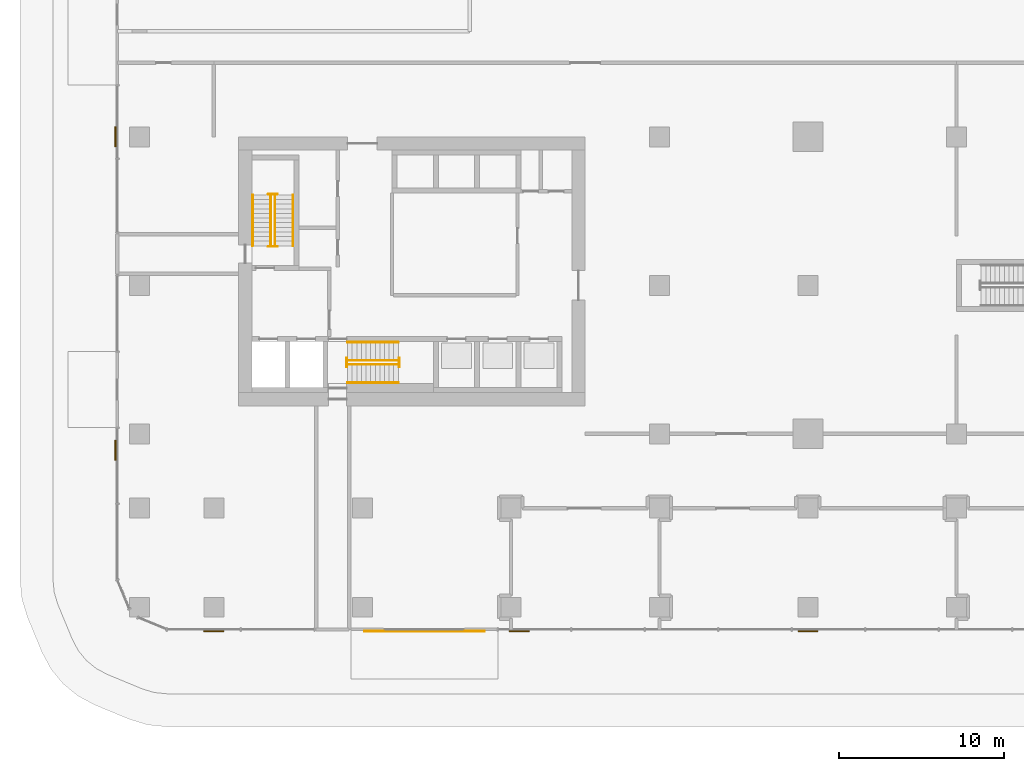
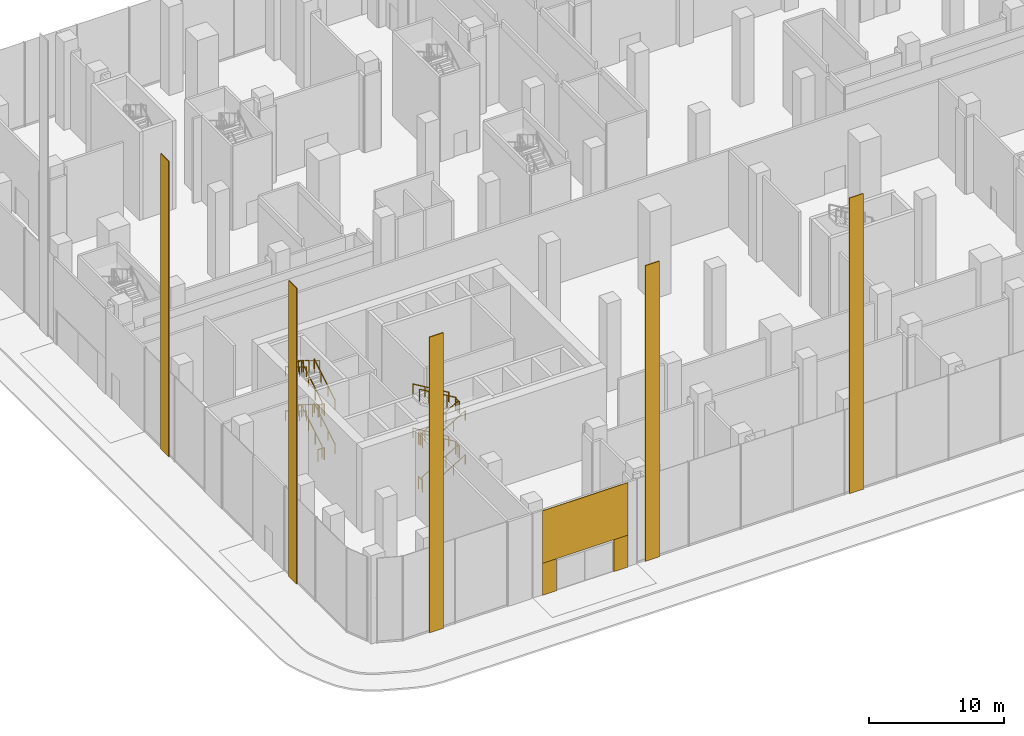
# One storey, part 30 of 42: 24 railings, 8 coverings.
"""IFC4 building model written with IfcOpenShell, lengths in metres."""

from ifc_helpers import new_model, si_unit, direction, frame, origin, origin_2d, place, context, subcontext, project, spatial, rectangle, circle, extrude, material, layer, layer_set, type_object, element, save


model = new_model("IFC4")

# Units and contexts
model_context = context("Model", 3, precision=1e-05, world=origin(), true_north=direction((0.0, 1.0)))
body_context = subcontext(model_context, "Body", "Model", "MODEL_VIEW")
ifc_project = project(units=[si_unit("LENGTHUNIT", "METRE"), si_unit("AREAUNIT", "SQUARE_METRE"), si_unit("VOLUMEUNIT", "CUBIC_METRE"), si_unit("PLANEANGLEUNIT", "RADIAN"), si_unit("MASSUNIT", "GRAM", prefix="KILO")], contexts=[model_context])

# Site, building, storey
site_placement = place(None, origin())
site = spatial("IfcSite", under=ifc_project, at=site_placement, CompositionType="ELEMENT")
building_placement = place(site_placement, origin())
building = spatial("IfcBuilding", under=site, at=building_placement, Name="Plateau Cross Towers", CompositionType="ELEMENT")
storey_placement = place(building_placement, origin())
storey = spatial("IfcBuildingStorey", under=building, at=storey_placement, Name="L00", CompositionType="ELEMENT", Elevation=0.0)

# Coverings
ifc_material_1 = material(Name="Aluminium composite cladding", Category="aluminium")
ifc_layer_1 = layer(ifc_material_1, 0.050048828125)
ifc_layer_set_1 = layer_set([ifc_layer_1], Name="Aluminium composite cladding")
covering_type_1 = type_object("IfcCoveringType", Name="Entrance surround board 50", PredefinedType="CLADDING", material=ifc_layer_set_1)
covering_placement = place(storey_placement, frame((12.75341796875, -11.955078125, 2.89990234375), z_axis=(0.0, 0.0, 1.0), x_axis=(1.0, 0.0, 0.0)))
element("IfcCovering", 1, at=covering_placement, inside=storey, type_object=covering_type_1, Name="Entrance lobby-A head fascia", PredefinedType="CLADDING", context=body_context, shape_type="SweptSolid", body=[
    extrude(rectangle(XDim=7.300048828125, YDim=0.050048828125, at=origin_2d()), origin(), (0.0, 0.0, 1.0), 4.75),
])
for number, where, z_axis, x_axis, name in (
    (2, (9.703369140625, -11.955078125, 0.0), (0.0, 0.0, 1.0), (1.0, 0.0, 0.0), "Entrance lobby-A pier"),
    (3, (15.80322265625, -11.955078125, 0.0), (0.0, 0.0, 1.0), (1.0, 0.0, 0.0), "Entrance lobby-A pier"),
):
    element("IfcCovering", number, at=place(storey_placement, frame(where, z_axis=z_axis, x_axis=x_axis)), inside=storey, type_object=covering_type_1, Name=name, PredefinedType="CLADDING", context=body_context, shape_type="SweptSolid", body=[
        extrude(rectangle(XDim=1.199951171875, YDim=0.050048828125, at=origin_2d()), origin(), (0.0, 0.0, 1.0), 2.89990234375),
    ])
ifc_layer_2 = layer(ifc_material_1, 0.070068359375)
ifc_layer_set_2 = layer_set([ifc_layer_2], Name="Aluminium composite cladding")
covering_type_2 = type_object("IfcCoveringType", Name="Podium pier cladding 1200", PredefinedType="CLADDING", material=ifc_layer_set_2)
for number, where, z_axis, x_axis, name in (
    (4, (0.0, -11.9599609375, 0.0), (0.0, 0.0, 1.0), (1.0, 0.0, 0.0), "Podium pier S1"),
    (5, (18.5, -11.9599609375, 0.0), (0.0, 0.0, 1.0), (1.0, 0.0, 0.0), "Podium pier S2"),
    (6, (36.0, -11.9599609375, 0.0), (0.0, 0.0, 1.0), (1.0, 0.0, 0.0), "Podium pier S3"),
    (7, (-5.9599609375, -1.0, 0.0), (0.0, 0.0, 1.0), (0.0, -1.0, 0.0), "Podium pier W1"),
    (8, (-5.9599609375, 18.0, 0.0), (0.0, 0.0, 1.0), (0.0, -1.0, 0.0), "Podium pier W2"),
):
    element("IfcCovering", number, at=place(storey_placement, frame(where, z_axis=z_axis, x_axis=x_axis)), inside=storey, type_object=covering_type_2, Name=name, PredefinedType="CLADDING", context=body_context, shape_type="SweptSolid", body=[
        extrude(rectangle(XDim=1.199951171875, YDim=0.070068359375, at=origin_2d()), origin(), (0.0, 0.0, 1.0), 26.800048828125),
    ])

# Railings
ifc_material_2 = material(Name="Stainless steel and toughened glass", Category="steel")
railing_type_1 = type_object("IfcRailingType", Name="RL-GUARD-1100", PredefinedType="GUARDRAIL", material=ifc_material_2)
railing_1_placement = place(storey_placement, frame((3.699951171875, 11.39990234375, 0.166748046875)))
element("IfcRailing", 9, at=railing_1_placement, inside=storey, type_object=railing_type_1, Name="L00 ST-1 stair guard 1", PredefinedType="GUARDRAIL", context=body_context, shape_type="SweptSolid", body=[
    extrude(circle(Radius=0.02392578125, at=origin_2d()), frame((0.0, 0.0, 1.076171875), z_axis=(0.0, 0.859308565015, 0.511457515432), x_axis=(-1.0, 0.0, 0.0)), (0.0, 0.0, 1.0), 3.58447265625),
    extrude(circle(Radius=0.02099609375, at=origin_2d()), origin(), (0.0, 0.0, 1.0), 1.052001953125),
    extrude(circle(Radius=0.02099609375, at=origin_2d()), frame((0.0, 1.026611328125, 0.611083984375)), (0.0, 0.0, 1.0), 1.052001953125),
    extrude(circle(Radius=0.02099609375, at=origin_2d()), frame((0.0, 2.053466796875, 1.22216796875)), (0.0, 0.0, 1.0), 1.052001953125),
    extrude(circle(Radius=0.02099609375, at=origin_2d()), frame((0.0, 3.080078125, 1.833251953125)), (0.0, 0.0, 1.0), 1.052001953125),
])
railing_2_placement = place(storey_placement, frame((3.85009765625, 14.530029296875, 2.0)))
element("IfcRailing", 10, at=railing_2_placement, inside=storey, type_object=railing_type_1, Name="L00 ST-1 stair guard 2", PredefinedType="GUARDRAIL", context=body_context, shape_type="SweptSolid", body=[
    extrude(circle(Radius=0.02392578125, at=origin_2d()), frame((0.0, 0.0, 1.076171875), z_axis=(-1.0, 0.0, 0.0), x_axis=(0.0, -1.0, 0.0)), (0.0, 0.0, 1.0), 0.550048828125),
    extrude(circle(Radius=0.02099609375, at=origin_2d()), origin(), (0.0, 0.0, 1.0), 1.052001953125),
    extrude(circle(Radius=0.02099609375, at=origin_2d()), frame((-0.550048828125, 0.0, 0.0)), (0.0, 0.0, 1.0), 1.052001953125),
])
railing_3_placement = place(storey_placement, frame((3.449951171875, 14.47998046875, 2.166748046875)))
element("IfcRailing", 11, at=railing_3_placement, inside=storey, type_object=railing_type_1, Name="L00 ST-1 stair guard 3", PredefinedType="GUARDRAIL", context=body_context, shape_type="SweptSolid", body=[
    extrude(circle(Radius=0.02392578125, at=origin_2d()), frame((0.0, 0.0, 1.076171875), z_axis=(0.0, -0.859308565015, 0.511457515432), x_axis=(1.0, 0.0, 0.0)), (0.0, 0.0, 1.0), 3.58447265625),
    extrude(circle(Radius=0.02099609375, at=origin_2d()), origin(), (0.0, 0.0, 1.0), 1.052001953125),
    extrude(circle(Radius=0.02099609375, at=origin_2d()), frame((0.0, -1.026611328125, 0.611083984375)), (0.0, 0.0, 1.0), 1.052001953125),
    extrude(circle(Radius=0.02099609375, at=origin_2d()), frame((0.0, -2.053466796875, 1.22216796875)), (0.0, 0.0, 1.0), 1.052001953125),
    extrude(circle(Radius=0.02099609375, at=origin_2d()), frame((0.0, -3.080078125, 1.833251953125)), (0.0, 0.0, 1.0), 1.052001953125),
])
railing_4_placement = place(storey_placement, frame((3.85009765625, 11.35009765625, 4.0)))
element("IfcRailing", 12, at=railing_4_placement, inside=storey, type_object=railing_type_1, Name="L00 ST-1 stair guard 4", PredefinedType="GUARDRAIL", context=body_context, shape_type="SweptSolid", body=[
    extrude(circle(Radius=0.02392578125, at=origin_2d()), frame((0.0, 0.0, 1.076171875), z_axis=(-1.0, 0.0, 0.0), x_axis=(0.0, -1.0, 0.0)), (0.0, 0.0, 1.0), 0.550048828125),
    extrude(circle(Radius=0.02099609375, at=origin_2d()), origin(), (0.0, 0.0, 1.0), 1.052001953125),
    extrude(circle(Radius=0.02099609375, at=origin_2d()), frame((-0.550048828125, 0.0, 0.0)), (0.0, 0.0, 1.0), 1.052001953125),
])
railing_5_placement = place(storey_placement, frame((3.699951171875, 11.39990234375, 4.166748046875)))
element("IfcRailing", 13, at=railing_5_placement, inside=storey, type_object=railing_type_1, Name="L00 ST-1 stair guard 5", PredefinedType="GUARDRAIL", context=body_context, shape_type="SweptSolid", body=[
    extrude(circle(Radius=0.02392578125, at=origin_2d()), frame((0.0, 0.0, 1.076171875), z_axis=(0.0, 0.859308565015, 0.511457515432), x_axis=(-1.0, 0.0, 0.0)), (0.0, 0.0, 1.0), 3.58447265625),
    extrude(circle(Radius=0.02099609375, at=origin_2d()), origin(), (0.0, 0.0, 1.0), 1.052001953125),
    extrude(circle(Radius=0.02099609375, at=origin_2d()), frame((0.0, 1.026611328125, 0.611083984375)), (0.0, 0.0, 1.0), 1.052001953125),
    extrude(circle(Radius=0.02099609375, at=origin_2d()), frame((0.0, 2.053466796875, 1.22216796875)), (0.0, 0.0, 1.0), 1.052001953125),
    extrude(circle(Radius=0.02099609375, at=origin_2d()), frame((0.0, 3.080078125, 1.833251953125)), (0.0, 0.0, 1.0), 1.052001953125),
])
railing_6_placement = place(storey_placement, frame((3.85009765625, 14.530029296875, 6.0)))
element("IfcRailing", 14, at=railing_6_placement, inside=storey, type_object=railing_type_1, Name="L00 ST-1 stair guard 6", PredefinedType="GUARDRAIL", context=body_context, shape_type="SweptSolid", body=[
    extrude(circle(Radius=0.02392578125, at=origin_2d()), frame((0.0, 0.0, 1.076171875), z_axis=(-1.0, 0.0, 0.0), x_axis=(0.0, -1.0, 0.0)), (0.0, 0.0, 1.0), 0.550048828125),
    extrude(circle(Radius=0.02099609375, at=origin_2d()), origin(), (0.0, 0.0, 1.0), 1.052001953125),
    extrude(circle(Radius=0.02099609375, at=origin_2d()), frame((-0.550048828125, 0.0, 0.0)), (0.0, 0.0, 1.0), 1.052001953125),
])
railing_7_placement = place(storey_placement, frame((3.449951171875, 14.47998046875, 6.166748046875)))
element("IfcRailing", 15, at=railing_7_placement, inside=storey, type_object=railing_type_1, Name="L00 ST-1 stair guard 7", PredefinedType="GUARDRAIL", context=body_context, shape_type="SweptSolid", body=[
    extrude(circle(Radius=0.02392578125, at=origin_2d()), frame((0.0, 0.0, 1.076171875), z_axis=(0.0, -0.862879167799, 0.505410270749), x_axis=(1.0, 0.0, 0.0)), (0.0, 0.0, 1.0), 3.627197265625),
    extrude(circle(Radius=0.02099609375, at=origin_2d()), origin(), (0.0, 0.0, 1.0), 1.052001953125),
    extrude(circle(Radius=0.02099609375, at=origin_2d()), frame((0.0, -0.782470703125, 0.458251953125)), (0.0, 0.0, 1.0), 1.052001953125),
    extrude(circle(Radius=0.02099609375, at=origin_2d()), frame((0.0, -1.56494140625, 0.91650390625)), (0.0, 0.0, 1.0), 1.052001953125),
    extrude(circle(Radius=0.02099609375, at=origin_2d()), frame((0.0, -2.347412109375, 1.375)), (0.0, 0.0, 1.0), 1.052001953125),
    extrude(circle(Radius=0.02099609375, at=origin_2d()), frame((0.0, -3.1298828125, 1.833251953125)), (0.0, 0.0, 1.0), 1.052001953125),
])
railing_8_placement = place(storey_placement, frame((3.85009765625, 11.35009765625, 0.0)))
element("IfcRailing", 16, at=railing_8_placement, inside=storey, type_object=railing_type_1, Name="L00 ST-1 stair guard 8", PredefinedType="GUARDRAIL", context=body_context, shape_type="SweptSolid", body=[
    extrude(circle(Radius=0.02392578125, at=origin_2d()), frame((0.0, 0.0, 1.076171875), z_axis=(-1.0, 0.0, 0.0), x_axis=(0.0, -1.0, 0.0)), (0.0, 0.0, 1.0), 0.550048828125),
    extrude(circle(Radius=0.02099609375, at=origin_2d()), origin(), (0.0, 0.0, 1.0), 1.052001953125),
    extrude(circle(Radius=0.02099609375, at=origin_2d()), frame((-0.550048828125, 0.0, 0.0)), (0.0, 0.0, 1.0), 1.052001953125),
])
railing_9_placement = place(storey_placement, frame((8.10009765625, 4.199951171875, 0.166748046875)))
element("IfcRailing", 17, at=railing_9_placement, inside=storey, type_object=railing_type_1, Name="L00 ST-2 stair guard 1", PredefinedType="GUARDRAIL", context=body_context, shape_type="SweptSolid", body=[
    extrude(circle(Radius=0.02392578125, at=origin_2d()), frame((0.0, 0.0, 1.076171875), z_axis=(0.859290745958, 0.0, 0.51148745235), x_axis=(0.0, 1.0, 0.0)), (0.0, 0.0, 1.0), 3.584228515625),
    extrude(circle(Radius=0.02099609375, at=origin_2d()), origin(), (0.0, 0.0, 1.0), 1.052001953125),
    extrude(circle(Radius=0.02099609375, at=origin_2d()), frame((1.026611328125, 0.0, 0.611083984375)), (0.0, 0.0, 1.0), 1.052001953125),
    extrude(circle(Radius=0.02099609375, at=origin_2d()), frame((2.05322265625, 0.0, 1.22216796875)), (0.0, 0.0, 1.0), 1.052001953125),
    extrude(circle(Radius=0.02099609375, at=origin_2d()), frame((3.079833984375, 0.0, 1.833251953125)), (0.0, 0.0, 1.0), 1.052001953125),
])
railing_10_placement = place(storey_placement, frame((11.22998046875, 4.050048828125, 2.0)))
element("IfcRailing", 18, at=railing_10_placement, inside=storey, type_object=railing_type_1, Name="L00 ST-2 stair guard 2", PredefinedType="GUARDRAIL", context=body_context, shape_type="SweptSolid", body=[
    extrude(circle(Radius=0.02392578125, at=origin_2d()), frame((0.0, 0.0, 1.076171875), z_axis=(0.0, 1.0, 0.0), x_axis=(-1.0, 0.0, 0.0)), (0.0, 0.0, 1.0), 0.550048828125),
    extrude(circle(Radius=0.02099609375, at=origin_2d()), origin(), (0.0, 0.0, 1.0), 1.052001953125),
    extrude(circle(Radius=0.02099609375, at=origin_2d()), frame((0.0, 0.550048828125, 0.0)), (0.0, 0.0, 1.0), 1.052001953125),
])
railing_11_placement = place(storey_placement, frame((11.179931640625, 4.449951171875, 2.166748046875)))
element("IfcRailing", 19, at=railing_11_placement, inside=storey, type_object=railing_type_1, Name="L00 ST-2 stair guard 3", PredefinedType="GUARDRAIL", context=body_context, shape_type="SweptSolid", body=[
    extrude(circle(Radius=0.02392578125, at=origin_2d()), frame((0.0, 0.0, 1.076171875), z_axis=(-0.859290745958, 0.0, 0.51148745235), x_axis=(0.0, -1.0, 0.0)), (0.0, 0.0, 1.0), 3.584228515625),
    extrude(circle(Radius=0.02099609375, at=origin_2d()), origin(), (0.0, 0.0, 1.0), 1.052001953125),
    extrude(circle(Radius=0.02099609375, at=origin_2d()), frame((-1.026611328125, 0.0, 0.611083984375)), (0.0, 0.0, 1.0), 1.052001953125),
    extrude(circle(Radius=0.02099609375, at=origin_2d()), frame((-2.05322265625, 0.0, 1.22216796875)), (0.0, 0.0, 1.0), 1.052001953125),
    extrude(circle(Radius=0.02099609375, at=origin_2d()), frame((-3.079833984375, 0.0, 1.833251953125)), (0.0, 0.0, 1.0), 1.052001953125),
])
railing_12_placement = place(storey_placement, frame((8.050048828125, 4.050048828125, 4.0)))
element("IfcRailing", 20, at=railing_12_placement, inside=storey, type_object=railing_type_1, Name="L00 ST-2 stair guard 4", PredefinedType="GUARDRAIL", context=body_context, shape_type="SweptSolid", body=[
    extrude(circle(Radius=0.02392578125, at=origin_2d()), frame((0.0, 0.0, 1.076171875), z_axis=(0.0, 1.0, 0.0), x_axis=(-1.0, 0.0, 0.0)), (0.0, 0.0, 1.0), 0.550048828125),
    extrude(circle(Radius=0.02099609375, at=origin_2d()), origin(), (0.0, 0.0, 1.0), 1.052001953125),
    extrude(circle(Radius=0.02099609375, at=origin_2d()), frame((0.0, 0.550048828125, 0.0)), (0.0, 0.0, 1.0), 1.052001953125),
])
railing_13_placement = place(storey_placement, frame((8.10009765625, 4.199951171875, 4.166748046875)))
element("IfcRailing", 21, at=railing_13_placement, inside=storey, type_object=railing_type_1, Name="L00 ST-2 stair guard 5", PredefinedType="GUARDRAIL", context=body_context, shape_type="SweptSolid", body=[
    extrude(circle(Radius=0.02392578125, at=origin_2d()), frame((0.0, 0.0, 1.076171875), z_axis=(0.859290745958, 0.0, 0.51148745235), x_axis=(0.0, 1.0, 0.0)), (0.0, 0.0, 1.0), 3.584228515625),
    extrude(circle(Radius=0.02099609375, at=origin_2d()), origin(), (0.0, 0.0, 1.0), 1.052001953125),
    extrude(circle(Radius=0.02099609375, at=origin_2d()), frame((1.026611328125, 0.0, 0.611083984375)), (0.0, 0.0, 1.0), 1.052001953125),
    extrude(circle(Radius=0.02099609375, at=origin_2d()), frame((2.05322265625, 0.0, 1.22216796875)), (0.0, 0.0, 1.0), 1.052001953125),
    extrude(circle(Radius=0.02099609375, at=origin_2d()), frame((3.079833984375, 0.0, 1.833251953125)), (0.0, 0.0, 1.0), 1.052001953125),
])
railing_14_placement = place(storey_placement, frame((11.22998046875, 4.050048828125, 6.0)))
element("IfcRailing", 22, at=railing_14_placement, inside=storey, type_object=railing_type_1, Name="L00 ST-2 stair guard 6", PredefinedType="GUARDRAIL", context=body_context, shape_type="SweptSolid", body=[
    extrude(circle(Radius=0.02392578125, at=origin_2d()), frame((0.0, 0.0, 1.076171875), z_axis=(0.0, 1.0, 0.0), x_axis=(-1.0, 0.0, 0.0)), (0.0, 0.0, 1.0), 0.550048828125),
    extrude(circle(Radius=0.02099609375, at=origin_2d()), origin(), (0.0, 0.0, 1.0), 1.052001953125),
    extrude(circle(Radius=0.02099609375, at=origin_2d()), frame((0.0, 0.550048828125, 0.0)), (0.0, 0.0, 1.0), 1.052001953125),
])
railing_15_placement = place(storey_placement, frame((11.179931640625, 4.449951171875, 6.166748046875)))
element("IfcRailing", 23, at=railing_15_placement, inside=storey, type_object=railing_type_1, Name="L00 ST-2 stair guard 7", PredefinedType="GUARDRAIL", context=body_context, shape_type="SweptSolid", body=[
    extrude(circle(Radius=0.02392578125, at=origin_2d()), frame((0.0, 0.0, 1.076171875), z_axis=(-0.862879167799, 0.0, 0.505410270749), x_axis=(0.0, -1.0, 0.0)), (0.0, 0.0, 1.0), 3.627197265625),
    extrude(circle(Radius=0.02099609375, at=origin_2d()), origin(), (0.0, 0.0, 1.0), 1.052001953125),
    extrude(circle(Radius=0.02099609375, at=origin_2d()), frame((-0.782470703125, 0.0, 0.458251953125)), (0.0, 0.0, 1.0), 1.052001953125),
    extrude(circle(Radius=0.02099609375, at=origin_2d()), frame((-1.56494140625, 0.0, 0.91650390625)), (0.0, 0.0, 1.0), 1.052001953125),
    extrude(circle(Radius=0.02099609375, at=origin_2d()), frame((-2.347412109375, 0.0, 1.375)), (0.0, 0.0, 1.0), 1.052001953125),
    extrude(circle(Radius=0.02099609375, at=origin_2d()), frame((-3.1298828125, 0.0, 1.833251953125)), (0.0, 0.0, 1.0), 1.052001953125),
])
railing_16_placement = place(storey_placement, frame((8.050048828125, 4.050048828125, 0.0)))
element("IfcRailing", 24, at=railing_16_placement, inside=storey, type_object=railing_type_1, Name="L00 ST-2 stair guard 8", PredefinedType="GUARDRAIL", context=body_context, shape_type="SweptSolid", body=[
    extrude(circle(Radius=0.02392578125, at=origin_2d()), frame((0.0, 0.0, 1.076171875), z_axis=(0.0, 1.0, 0.0), x_axis=(-1.0, 0.0, 0.0)), (0.0, 0.0, 1.0), 0.550048828125),
    extrude(circle(Radius=0.02099609375, at=origin_2d()), origin(), (0.0, 0.0, 1.0), 1.052001953125),
    extrude(circle(Radius=0.02099609375, at=origin_2d()), frame((0.0, 0.550048828125, 0.0)), (0.0, 0.0, 1.0), 1.052001953125),
])
ifc_material_3 = material(Name="Black anodised aluminium", Category="aluminium")
railing_type_2 = type_object("IfcRailingType", Name="RL-HANDRAIL-900", PredefinedType="HANDRAIL", material=ifc_material_3)
railing_17_placement = place(storey_placement, frame((4.800048828125, 11.39990234375, 0.166748046875)))
element("IfcRailing", 25, at=railing_17_placement, inside=storey, type_object=railing_type_2, Name="L00 ST-1 stair handrail 1", PredefinedType="HANDRAIL", context=body_context, shape_type="SweptSolid", body=[
    extrude(circle(Radius=0.02392578125, at=origin_2d()), frame((0.0, 0.0, 0.8759765625), z_axis=(0.0, 0.859308565015, 0.511457515432), x_axis=(-1.0, 0.0, 0.0)), (0.0, 0.0, 1.0), 3.58447265625),
    extrude(circle(Radius=0.02099609375, at=origin_2d()), origin(), (0.0, 0.0, 1.0), 0.851806640625),
    extrude(circle(Radius=0.02099609375, at=origin_2d()), frame((0.0, 1.026611328125, 0.611083984375)), (0.0, 0.0, 1.0), 0.851806640625),
    extrude(circle(Radius=0.02099609375, at=origin_2d()), frame((0.0, 2.053466796875, 1.22216796875)), (0.0, 0.0, 1.0), 0.851806640625),
    extrude(circle(Radius=0.02099609375, at=origin_2d()), frame((0.0, 3.080078125, 1.833251953125)), (0.0, 0.0, 1.0), 0.851806640625),
])
railing_18_placement = place(storey_placement, frame((2.35009765625, 14.47998046875, 2.166748046875)))
element("IfcRailing", 26, at=railing_18_placement, inside=storey, type_object=railing_type_2, Name="L00 ST-1 stair handrail 2", PredefinedType="HANDRAIL", context=body_context, shape_type="SweptSolid", body=[
    extrude(circle(Radius=0.02392578125, at=origin_2d()), frame((0.0, 0.0, 0.8759765625), z_axis=(0.0, -0.859308565015, 0.511457515432), x_axis=(1.0, 0.0, 0.0)), (0.0, 0.0, 1.0), 3.58447265625),
    extrude(circle(Radius=0.02099609375, at=origin_2d()), origin(), (0.0, 0.0, 1.0), 0.851806640625),
    extrude(circle(Radius=0.02099609375, at=origin_2d()), frame((0.0, -1.026611328125, 0.611083984375)), (0.0, 0.0, 1.0), 0.851806640625),
    extrude(circle(Radius=0.02099609375, at=origin_2d()), frame((0.0, -2.053466796875, 1.22216796875)), (0.0, 0.0, 1.0), 0.851806640625),
    extrude(circle(Radius=0.02099609375, at=origin_2d()), frame((0.0, -3.080078125, 1.833251953125)), (0.0, 0.0, 1.0), 0.851806640625),
])
railing_19_placement = place(storey_placement, frame((4.800048828125, 11.39990234375, 4.166748046875)))
element("IfcRailing", 27, at=railing_19_placement, inside=storey, type_object=railing_type_2, Name="L00 ST-1 stair handrail 3", PredefinedType="HANDRAIL", context=body_context, shape_type="SweptSolid", body=[
    extrude(circle(Radius=0.02392578125, at=origin_2d()), frame((0.0, 0.0, 0.8759765625), z_axis=(0.0, 0.859308565015, 0.511457515432), x_axis=(-1.0, 0.0, 0.0)), (0.0, 0.0, 1.0), 3.58447265625),
    extrude(circle(Radius=0.02099609375, at=origin_2d()), origin(), (0.0, 0.0, 1.0), 0.851806640625),
    extrude(circle(Radius=0.02099609375, at=origin_2d()), frame((0.0, 1.026611328125, 0.611083984375)), (0.0, 0.0, 1.0), 0.851806640625),
    extrude(circle(Radius=0.02099609375, at=origin_2d()), frame((0.0, 2.053466796875, 1.22216796875)), (0.0, 0.0, 1.0), 0.851806640625),
    extrude(circle(Radius=0.02099609375, at=origin_2d()), frame((0.0, 3.080078125, 1.833251953125)), (0.0, 0.0, 1.0), 0.851806640625),
])
railing_20_placement = place(storey_placement, frame((2.35009765625, 14.47998046875, 6.166748046875)))
element("IfcRailing", 28, at=railing_20_placement, inside=storey, type_object=railing_type_2, Name="L00 ST-1 stair handrail 4", PredefinedType="HANDRAIL", context=body_context, shape_type="SweptSolid", body=[
    extrude(circle(Radius=0.02392578125, at=origin_2d()), frame((0.0, 0.0, 0.8759765625), z_axis=(0.0, -0.859308565015, 0.511457515432), x_axis=(1.0, 0.0, 0.0)), (0.0, 0.0, 1.0), 3.58447265625),
    extrude(circle(Radius=0.02099609375, at=origin_2d()), origin(), (0.0, 0.0, 1.0), 0.851806640625),
    extrude(circle(Radius=0.02099609375, at=origin_2d()), frame((0.0, -1.026611328125, 0.611083984375)), (0.0, 0.0, 1.0), 0.851806640625),
    extrude(circle(Radius=0.02099609375, at=origin_2d()), frame((0.0, -2.053466796875, 1.22216796875)), (0.0, 0.0, 1.0), 0.851806640625),
    extrude(circle(Radius=0.02099609375, at=origin_2d()), frame((0.0, -3.080078125, 1.833251953125)), (0.0, 0.0, 1.0), 0.851806640625),
])
railing_21_placement = place(storey_placement, frame((8.10009765625, 3.10009765625, 0.166748046875)))
element("IfcRailing", 29, at=railing_21_placement, inside=storey, type_object=railing_type_2, Name="L00 ST-2 stair handrail 1", PredefinedType="HANDRAIL", context=body_context, shape_type="SweptSolid", body=[
    extrude(circle(Radius=0.02392578125, at=origin_2d()), frame((0.0, 0.0, 0.8759765625), z_axis=(0.859290745958, 0.0, 0.51148745235), x_axis=(0.0, 1.0, 0.0)), (0.0, 0.0, 1.0), 3.584228515625),
    extrude(circle(Radius=0.02099609375, at=origin_2d()), origin(), (0.0, 0.0, 1.0), 0.851806640625),
    extrude(circle(Radius=0.02099609375, at=origin_2d()), frame((1.026611328125, 0.0, 0.611083984375)), (0.0, 0.0, 1.0), 0.851806640625),
    extrude(circle(Radius=0.02099609375, at=origin_2d()), frame((2.05322265625, 0.0, 1.22216796875)), (0.0, 0.0, 1.0), 0.851806640625),
    extrude(circle(Radius=0.02099609375, at=origin_2d()), frame((3.079833984375, 0.0, 1.833251953125)), (0.0, 0.0, 1.0), 0.851806640625),
])
railing_22_placement = place(storey_placement, frame((11.179931640625, 5.550048828125, 2.166748046875)))
element("IfcRailing", 30, at=railing_22_placement, inside=storey, type_object=railing_type_2, Name="L00 ST-2 stair handrail 2", PredefinedType="HANDRAIL", context=body_context, shape_type="SweptSolid", body=[
    extrude(circle(Radius=0.02392578125, at=origin_2d()), frame((0.0, 0.0, 0.8759765625), z_axis=(-0.859290745958, 0.0, 0.51148745235), x_axis=(0.0, -1.0, 0.0)), (0.0, 0.0, 1.0), 3.584228515625),
    extrude(circle(Radius=0.02099609375, at=origin_2d()), origin(), (0.0, 0.0, 1.0), 0.851806640625),
    extrude(circle(Radius=0.02099609375, at=origin_2d()), frame((-1.026611328125, 0.0, 0.611083984375)), (0.0, 0.0, 1.0), 0.851806640625),
    extrude(circle(Radius=0.02099609375, at=origin_2d()), frame((-2.05322265625, 0.0, 1.22216796875)), (0.0, 0.0, 1.0), 0.851806640625),
    extrude(circle(Radius=0.02099609375, at=origin_2d()), frame((-3.079833984375, 0.0, 1.833251953125)), (0.0, 0.0, 1.0), 0.851806640625),
])
railing_23_placement = place(storey_placement, frame((8.10009765625, 3.10009765625, 4.166748046875)))
element("IfcRailing", 31, at=railing_23_placement, inside=storey, type_object=railing_type_2, Name="L00 ST-2 stair handrail 3", PredefinedType="HANDRAIL", context=body_context, shape_type="SweptSolid", body=[
    extrude(circle(Radius=0.02392578125, at=origin_2d()), frame((0.0, 0.0, 0.8759765625), z_axis=(0.859290745958, 0.0, 0.51148745235), x_axis=(0.0, 1.0, 0.0)), (0.0, 0.0, 1.0), 3.584228515625),
    extrude(circle(Radius=0.02099609375, at=origin_2d()), origin(), (0.0, 0.0, 1.0), 0.851806640625),
    extrude(circle(Radius=0.02099609375, at=origin_2d()), frame((1.026611328125, 0.0, 0.611083984375)), (0.0, 0.0, 1.0), 0.851806640625),
    extrude(circle(Radius=0.02099609375, at=origin_2d()), frame((2.05322265625, 0.0, 1.22216796875)), (0.0, 0.0, 1.0), 0.851806640625),
    extrude(circle(Radius=0.02099609375, at=origin_2d()), frame((3.079833984375, 0.0, 1.833251953125)), (0.0, 0.0, 1.0), 0.851806640625),
])
railing_24_placement = place(storey_placement, frame((11.179931640625, 5.550048828125, 6.166748046875)))
element("IfcRailing", 32, at=railing_24_placement, inside=storey, type_object=railing_type_2, Name="L00 ST-2 stair handrail 4", PredefinedType="HANDRAIL", context=body_context, shape_type="SweptSolid", body=[
    extrude(circle(Radius=0.02392578125, at=origin_2d()), frame((0.0, 0.0, 0.8759765625), z_axis=(-0.859290745958, 0.0, 0.51148745235), x_axis=(0.0, -1.0, 0.0)), (0.0, 0.0, 1.0), 3.584228515625),
    extrude(circle(Radius=0.02099609375, at=origin_2d()), origin(), (0.0, 0.0, 1.0), 0.851806640625),
    extrude(circle(Radius=0.02099609375, at=origin_2d()), frame((-1.026611328125, 0.0, 0.611083984375)), (0.0, 0.0, 1.0), 0.851806640625),
    extrude(circle(Radius=0.02099609375, at=origin_2d()), frame((-2.05322265625, 0.0, 1.22216796875)), (0.0, 0.0, 1.0), 0.851806640625),
    extrude(circle(Radius=0.02099609375, at=origin_2d()), frame((-3.079833984375, 0.0, 1.833251953125)), (0.0, 0.0, 1.0), 0.851806640625),
])

save(model, "model.ifc")
